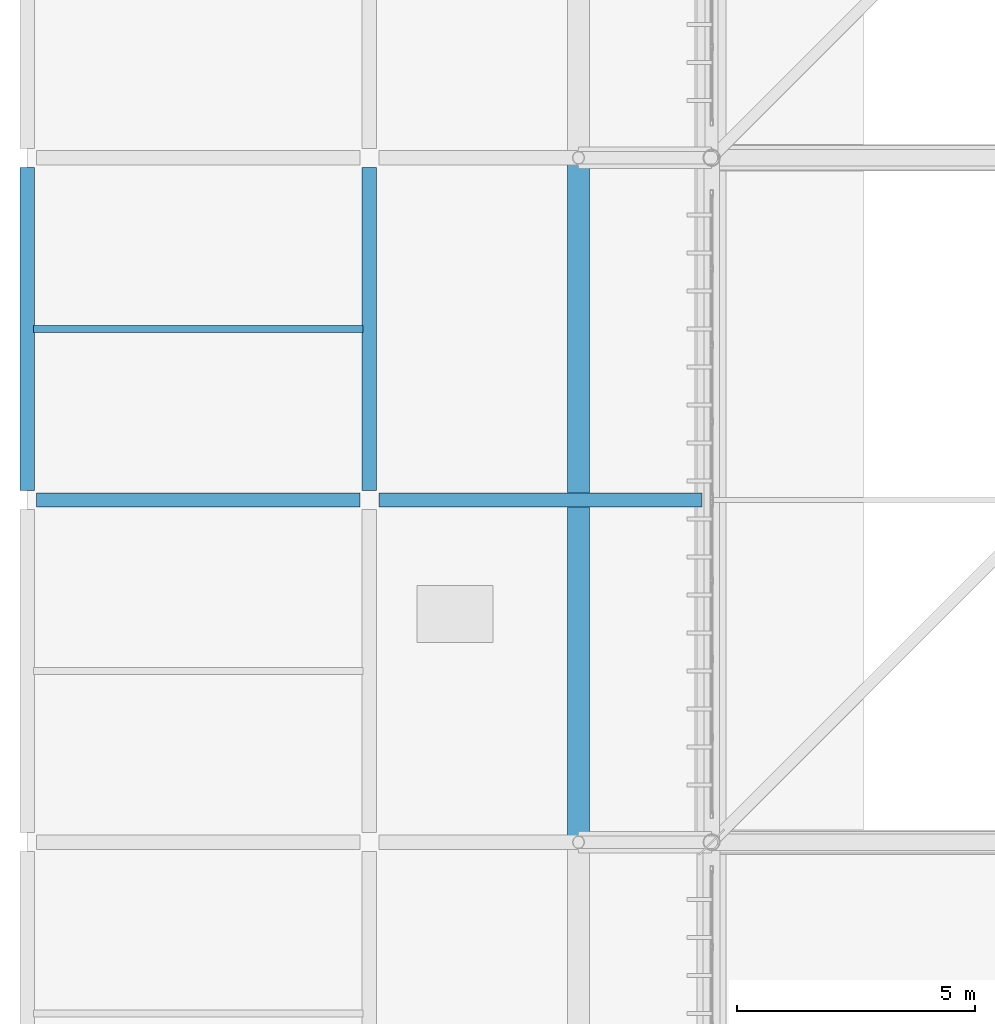
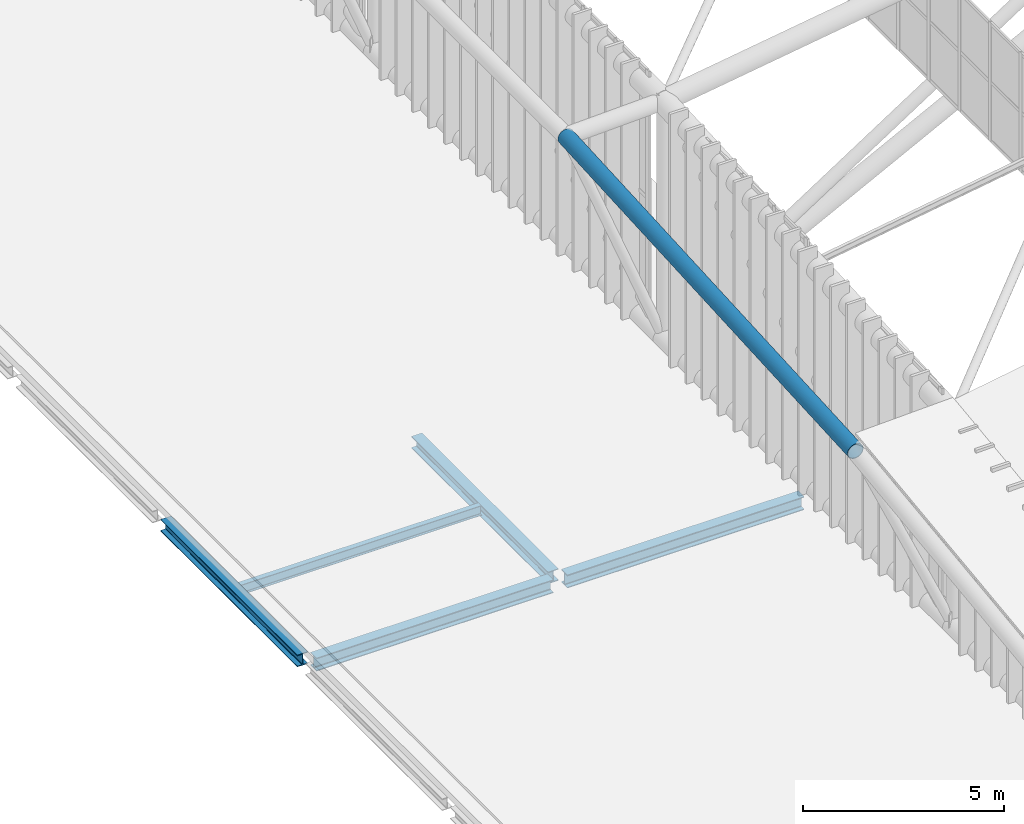
# One storey, part 61 of 397: 6 beams.
"""IFC4 building model written with IfcOpenShell, lengths in metres."""

from ifc_helpers import new_model, si_unit, direction, frame, origin, origin_2d, place, context, subcontext, project, spatial, hollow_circle, i_section, extrude, material, material_profile, profile_set, type_object, element, save


model = new_model("IFC4")

# Units and contexts
model_context = context("Model", 3, precision=1e-05, world=origin(), true_north=direction((0.0, 1.0)))
body_context = subcontext(model_context, "Body", "Model", "MODEL_VIEW")
ifc_project = project(units=[si_unit("LENGTHUNIT", "METRE"), si_unit("AREAUNIT", "SQUARE_METRE"), si_unit("VOLUMEUNIT", "CUBIC_METRE"), si_unit("PLANEANGLEUNIT", "RADIAN"), si_unit("MASSUNIT", "GRAM", prefix="KILO")], contexts=[model_context])

# Site, building, storey
site_placement = place(None, origin())
site = spatial("IfcSite", under=ifc_project, at=site_placement, CompositionType="ELEMENT")
building_placement = place(site_placement, origin())
building = spatial("IfcBuilding", under=site, at=building_placement, Name="Qandorah Velis Arena", CompositionType="ELEMENT")
storey_placement = place(building_placement, frame((0.0, 0.0, 27.5)))
storey = spatial("IfcBuildingStorey", under=building, at=storey_placement, Name="RF", CompositionType="ELEMENT", Elevation=27.5)

# Beams
ifc_material = material(Name="Steel S355", Category="steel")
ifc_material_profile_1 = material_profile(ifc_material, i_section(OverallWidth=0.300048828125, OverallDepth=0.360107421875, WebThickness=0.012451171875, FlangeThickness=0.0224609375, FilletRadius=0.027099609375, at=origin_2d()), Name="HEB 360")
ifc_profile_set_1 = profile_set([ifc_material_profile_1], Name="Steel S355")
beam_type_1 = type_object("IfcBeamType", Name="STR-BM-HEB360", PredefinedType="BEAM", material=ifc_profile_set_1)
for number, where, z_axis, x_axis, name in (
    (1, (0.0, 50.60009765625, -0.39990234375), (0.0, 1.0, 0.0), (-1.0, 0.0, 0.0), "Primary floor girder RF Y-067"),
    (2, (7.199951171875, 50.60009765625, -0.39990234375), (0.0, 1.0, 0.0), (-1.0, 0.0, 0.0), "Primary floor girder RF Y-079"),
):
    element("IfcBeam", number, at=place(storey_placement, frame(where, z_axis=z_axis, x_axis=x_axis)), inside=storey, type_object=beam_type_1, Name=name, PredefinedType="BEAM", context=body_context, shape_type="SweptSolid", body=[
        extrude(i_section(OverallWidth=0.300048828125, OverallDepth=0.360107421875, WebThickness=0.012451171875, FlangeThickness=0.0224609375, FilletRadius=0.027099609375, at=origin_2d()), origin(), (0.0, 0.0, 1.0), 6.7998046875),
    ])
ifc_material_profile_2 = material_profile(ifc_material, i_section(OverallWidth=0.300048828125, OverallDepth=0.39990234375, WebThickness=0.013427734375, FlangeThickness=0.02392578125, FilletRadius=0.027099609375, at=origin_2d()), Name="HEB 400")
ifc_profile_set_2 = profile_set([ifc_material_profile_2], Name="Steel S355")
beam_type_2 = type_object("IfcBeamType", Name="STR-BM-HEB400", PredefinedType="BEAM", material=ifc_profile_set_2)
for number, where, z_axis, x_axis, name in (
    (3, (0.199951171875, 50.39990234375, -0.419921875), (1.0, 0.0, 0.0), (0.0, 1.0, 0.0), "Primary floor girder RF X-027"),
    (4, (7.39990234375, 50.39990234375, -0.419921875), (1.0, 0.0, 0.0), (0.0, 1.0, 0.0), "Primary floor girder RF X-028"),
):
    element("IfcBeam", number, at=place(storey_placement, frame(where, z_axis=z_axis, x_axis=x_axis)), inside=storey, type_object=beam_type_2, Name=name, PredefinedType="BEAM", context=body_context, shape_type="SweptSolid", body=[
        extrude(i_section(OverallWidth=0.300048828125, OverallDepth=0.39990234375, WebThickness=0.013427734375, FlangeThickness=0.02392578125, FilletRadius=0.027099609375, at=origin_2d()), origin(), (0.0, 0.0, 1.0), 6.800048828125),
    ])
ifc_material_profile_3 = material_profile(ifc_material, i_section(OverallWidth=0.14990234375, OverallDepth=0.300048828125, WebThickness=0.007080078125, FlangeThickness=0.0107421875, FilletRadius=0.014892578125, at=origin_2d()), Name="IPE 300")
ifc_profile_set_3 = profile_set([ifc_material_profile_3], Name="Steel S355")
beam_type_3 = type_object("IfcBeamType", Name="STR-JST-IPE300", PredefinedType="JOIST", material=ifc_profile_set_3)
beam_1_placement = place(storey_placement, frame((0.135009765625, 54.0, -0.3701171875), z_axis=(1.0, 0.0, 0.0), x_axis=(0.0, 1.0, 0.0)))
element("IfcBeam", 5, at=beam_1_placement, inside=storey, type_object=beam_type_3, Name="Secondary floor joist RF-005", PredefinedType="JOIST", context=body_context, shape_type="SweptSolid", body=[
    extrude(i_section(OverallWidth=0.14990234375, OverallDepth=0.300048828125, WebThickness=0.007080078125, FlangeThickness=0.0107421875, FilletRadius=0.014892578125, at=origin_2d()), origin(), (0.0, 0.0, 1.0), 6.929931640625),
])
ifc_material_profile_4 = material_profile(ifc_material, hollow_circle(Radius=0.228515625, WallThickness=0.01611328125, at=origin_2d()), Name="CHS 457x16")
ifc_profile_set_4 = profile_set([ifc_material_profile_4], Name="Steel S355")
beam_type_4 = type_object("IfcBeamType", Name="STR-SFC-CHS457X16", PredefinedType="USERDEFINED", material=ifc_profile_set_4)
beam_2_placement = place(storey_placement, frame((11.60009765625, 43.199951171875, 6.348388671875), z_axis=(0.0, 0.998373702442, 0.057008335111), x_axis=(-1.0, 0.0, 0.0)))
element("IfcBeam", 6, at=beam_2_placement, inside=storey, type_object=beam_type_4, Name="Space frame eave fascia ring W-2", ObjectType="ROOF TRUSS", PredefinedType="USERDEFINED", context=body_context, shape_type="SweptSolid", body=[
    extrude(hollow_circle(Radius=0.228515625, WallThickness=0.01611328125, at=origin_2d()), origin(), (0.0, 0.0, 1.0), 14.423583984375),
])

save(model, "model.ifc")
